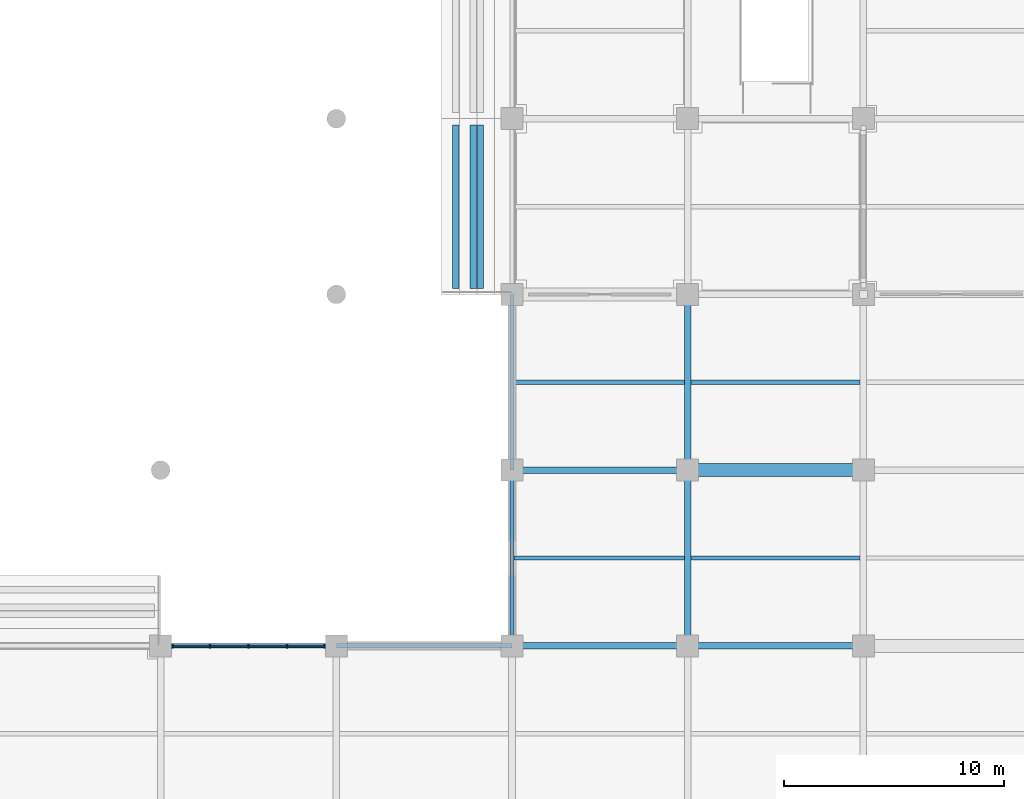
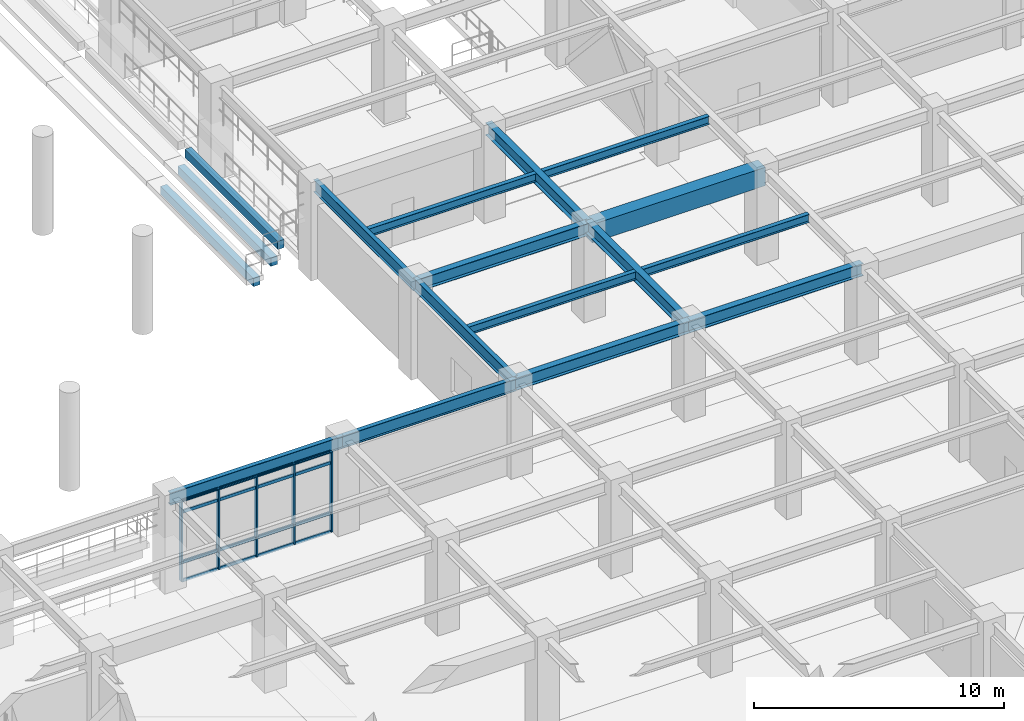
# One storey, part 28 of 117: 21 members, 17 beams, 1 element without a shape of its own.
"""IFC4 building model written with IfcOpenShell, lengths in metres."""

from ifc_helpers import new_model, si_unit, direction, frame, origin, origin_2d, place, context, subcontext, project, spatial, rectangle, i_section, extrude, material, layer, layer_set, material_profile, profile_set, type_object, element, aggregate, save


model = new_model("IFC4")

# Units and contexts
model_context = context("Model", 3, precision=1e-05, world=origin(), true_north=direction((0.0, 1.0)))
body_context = subcontext(model_context, "Body", "Model", "MODEL_VIEW")
ifc_project = project(units=[si_unit("LENGTHUNIT", "METRE"), si_unit("AREAUNIT", "SQUARE_METRE"), si_unit("VOLUMEUNIT", "CUBIC_METRE"), si_unit("PLANEANGLEUNIT", "RADIAN"), si_unit("MASSUNIT", "GRAM", prefix="KILO")], contexts=[model_context])

# Site, building, storey
site_placement = place(None, origin())
site = spatial("IfcSite", under=ifc_project, at=site_placement, CompositionType="ELEMENT")
building_placement = place(site_placement, origin())
building = spatial("IfcBuilding", under=site, at=building_placement, Name="Haebicheon Civic Stadium", CompositionType="ELEMENT")
storey_placement = place(building_placement, frame((0.0, 0.0, 4.800048828125)))
storey = spatial("IfcBuildingStorey", under=building, at=storey_placement, Name="L02", CompositionType="ELEMENT", Elevation=4.800048828125)

# Beams
ifc_material_1 = material(Name="Precast concrete C40/50", Category="concrete")
ifc_material_profile_1 = material_profile(ifc_material_1, rectangle(XDim=0.300048828125, YDim=0.39990234375, at=origin_2d()), Name="PC-LN-300x400")
ifc_profile_set_1 = profile_set([ifc_material_profile_1], Name="Precast concrete C40/50")
beam_type_1 = type_object("IfcBeamType", Name="BM-LN-300x400", PredefinedType="LINTEL", material=ifc_profile_set_1)
for number, where, z_axis, x_axis, name in (
    (1, (141.43994140625, 48.280029296875, 0.22705078125), (0.0, 1.0, 0.0), (-1.0, 0.0, 0.0), "TIER-E-L precast step carrier beam 1.7"),
    (2, (142.239990234375, 48.280029296875, 0.93798828125), (0.0, 1.0, 0.0), (-1.0, 0.0, 0.0), "TIER-E-L precast step carrier beam 1.8"),
    (3, (142.56005859375, 48.280029296875, 1.64892578125), (0.0, 1.0, 0.0), (-1.0, 0.0, 0.0), "TIER-E-L precast step carrier beam 1.9"),
):
    element("IfcBeam", number, at=place(storey_placement, frame(where, z_axis=z_axis, x_axis=x_axis)), inside=storey, type_object=beam_type_1, material=ifc_profile_set_1, Name=name, PredefinedType="LINTEL", context=body_context, shape_type="SweptSolid", body=[
        extrude(rectangle(XDim=0.300048828125, YDim=0.39990234375, at=origin_2d()), origin(), (0.0, 0.0, 1.0), 7.43994140625),
    ])
ifc_material_2 = material(Name="Concrete C40/50", Category="concrete")
ifc_material_profile_2 = material_profile(ifc_material_2, rectangle(XDim=0.60009765625, YDim=0.89990234375, at=origin_2d()), Name="RC-BM-600x900")
ifc_profile_set_2 = profile_set([ifc_material_profile_2], Name="Concrete C40/50")
beam_type_2 = type_object("IfcBeamType", Name="BM-RC-600x900", PredefinedType="BEAM", material=ifc_profile_set_2)
beam_placement = place(storey_placement, frame((152.0, 40.0, 4.070068359375), z_axis=(1.0, 0.0, 0.0), x_axis=(0.0, 1.0, 0.0)))
element("IfcBeam", 4, at=beam_placement, inside=storey, type_object=beam_type_2, material=ifc_profile_set_2, Name="L02 beam F/20-21", PredefinedType="BEAM", context=body_context, shape_type="SweptSolid", body=[
    extrude(rectangle(XDim=0.60009765625, YDim=0.89990234375, at=origin_2d()), origin(), (0.0, 0.0, 1.0), 8.0),
])
ifc_material_3 = material(Name="Steel SM355 (S355)", Category="steel")
ifc_material_profile_3 = material_profile(ifc_material_3, i_section(OverallWidth=0.300048828125, OverallDepth=0.60009765625, WebThickness=0.011962890625, FlangeThickness=0.02001953125, at=origin_2d()), Name="H-600x300x12x20")
ifc_profile_set_3 = profile_set([ifc_material_profile_3], Name="Steel SM355 (S355)")
beam_type_3 = type_object("IfcBeamType", Name="BM-ST-H600A", PredefinedType="BEAM", material=ifc_profile_set_3)
for number, where, z_axis, x_axis, name in (
    (5, (152.0, 32.0, 4.280029296875), (0.0, 1.0, 0.0), (-1.0, 0.0, 0.0), "L02 girder 20/E-F"),
    (6, (152.0, 40.0, 4.219970703125), (0.0, 1.0, 0.0), (-1.0, 0.0, 0.0), "L02 girder 20/F-G"),
    (7, (144.0, 32.0, 4.280029296875), (1.0, 0.0, 0.0), (0.0, 1.0, 0.0), "L02 beam E/19-20"),
    (8, (144.0, 40.0, 4.219970703125), (1.0, 0.0, 0.0), (0.0, 1.0, 0.0), "L02 beam F/19-20"),
    (9, (152.0, 32.0, 4.280029296875), (1.0, 0.0, 0.0), (0.0, 1.0, 0.0), "L02 beam E/20-21"),
):
    element("IfcBeam", number, at=place(storey_placement, frame(where, z_axis=z_axis, x_axis=x_axis)), inside=storey, type_object=beam_type_3, material=ifc_profile_set_3, Name=name, PredefinedType="BEAM", context=body_context, shape_type="SweptSolid", body=[
        extrude(i_section(OverallWidth=0.300048828125, OverallDepth=0.60009765625, WebThickness=0.011962890625, FlangeThickness=0.02001953125, at=origin_2d()), origin(), (0.0, 0.0, 1.0), 8.0),
    ])

# Curtain wall, members
ifc_material_4 = material(Name="Anodised aluminium and laminated glass", Category="aluminium")
ifc_layer = layer(ifc_material_4, 0.179931640625, Name="Anodised aluminium and laminated glass")
ifc_layer_set = layer_set([ifc_layer], Name="Anodised aluminium and laminated glass")
curtain_wall_type = type_object("IfcCurtainWallType", Name="CW-7000x3910", PredefinedType="NOTDEFINED", material=ifc_layer_set)
curtain_wall_placement = place(storey_placement, origin())
curtain_wall = element("IfcCurtainWall", 10, at=curtain_wall_placement, inside=storey, type_object=curtain_wall_type, material=ifc_layer_set, Name="L02 unitised curtain wall 050", PredefinedType="NOTDEFINED")
ifc_material_5 = material(Name="Anodised aluminium 6063-T6", Category="aluminium")
ifc_material_profile_4 = material_profile(ifc_material_5, rectangle(XDim=0.070068359375, YDim=0.199951171875, at=origin_2d()), Name="ALU-MULL-70x200")
ifc_profile_set_4 = profile_set([ifc_material_profile_4], Name="Anodised aluminium 6063-T6")
member_type_1 = type_object("IfcMemberType", Name="CWM-200x70", PredefinedType="MULLION", material=ifc_profile_set_4)
member_1_placement = place(storey_placement, frame((128.534912109375, 32.0, 0.0), z_axis=(0.0, 0.0, 1.0), x_axis=(1.0, 0.0, 0.0)))
member_1 = element("IfcMember", 11, at=member_1_placement, type_object=member_type_1, material=ifc_profile_set_4, Name="CW-L02-050 vertical mullion 1", PredefinedType="MULLION", context=body_context, shape_type="SweptSolid", body=[
    extrude(rectangle(XDim=0.070068359375, YDim=0.199951171875, at=origin_2d()), origin(), (0.0, 0.0, 1.0), 3.909912109375),
])
member_2_placement = place(storey_placement, frame((130.25, 32.0, 0.0), z_axis=(0.0, 0.0, 1.0), x_axis=(1.0, 0.0, 0.0)))
member_2 = element("IfcMember", 12, at=member_2_placement, type_object=member_type_1, material=ifc_profile_set_4, Name="CW-L02-050 vertical mullion 2", PredefinedType="MULLION", context=body_context, shape_type="SweptSolid", body=[
    extrude(rectangle(XDim=0.070068359375, YDim=0.199951171875, at=origin_2d()), origin(), (0.0, 0.0, 1.0), 3.909912109375),
])
member_3_placement = place(storey_placement, frame((132.0, 32.0, 0.0), z_axis=(0.0, 0.0, 1.0), x_axis=(1.0, 0.0, 0.0)))
member_3 = element("IfcMember", 13, at=member_3_placement, type_object=member_type_1, material=ifc_profile_set_4, Name="CW-L02-050 vertical mullion 3", PredefinedType="MULLION", context=body_context, shape_type="SweptSolid", body=[
    extrude(rectangle(XDim=0.070068359375, YDim=0.199951171875, at=origin_2d()), origin(), (0.0, 0.0, 1.0), 3.909912109375),
])
member_4_placement = place(storey_placement, frame((133.75, 32.0, 0.0), z_axis=(0.0, 0.0, 1.0), x_axis=(1.0, 0.0, 0.0)))
member_4 = element("IfcMember", 14, at=member_4_placement, type_object=member_type_1, material=ifc_profile_set_4, Name="CW-L02-050 vertical mullion 4", PredefinedType="MULLION", context=body_context, shape_type="SweptSolid", body=[
    extrude(rectangle(XDim=0.070068359375, YDim=0.199951171875, at=origin_2d()), origin(), (0.0, 0.0, 1.0), 3.909912109375),
])
member_5_placement = place(storey_placement, frame((135.465087890625, 32.0, 0.0), z_axis=(0.0, 0.0, 1.0), x_axis=(1.0, 0.0, 0.0)))
member_5 = element("IfcMember", 15, at=member_5_placement, type_object=member_type_1, material=ifc_profile_set_4, Name="CW-L02-050 vertical mullion 5", PredefinedType="MULLION", context=body_context, shape_type="SweptSolid", body=[
    extrude(rectangle(XDim=0.070068359375, YDim=0.199951171875, at=origin_2d()), origin(), (0.0, 0.0, 1.0), 3.909912109375),
])
ifc_material_6 = material(Name="Anodised aluminium 6063-T6", Category="aluminium")
ifc_material_profile_5 = material_profile(ifc_material_6, rectangle(XDim=0.070068359375, YDim=0.14990234375, at=origin_2d()), Name="ALU-TRAN-70x150")
ifc_profile_set_5 = profile_set([ifc_material_profile_5], Name="Anodised aluminium 6063-T6")
member_type_2 = type_object("IfcMemberType", Name="CWT-150x70", PredefinedType="NOTDEFINED", material=ifc_profile_set_5)
member_6_placement = place(storey_placement, frame((128.570068359375, 32.0, 0.0), z_axis=(1.0, 0.0, 0.0), x_axis=(0.0, 1.0, 0.0)))
member_6 = element("IfcMember", 16, at=member_6_placement, type_object=member_type_2, material=ifc_profile_set_5, Name="CW-L02-050 horizontal transom 1.1", ObjectType="TRANSOM", PredefinedType="USERDEFINED", context=body_context, shape_type="SweptSolid", body=[
    extrude(rectangle(XDim=0.070068359375, YDim=0.14990234375, at=origin_2d()), origin(), (0.0, 0.0, 1.0), 1.64501953125),
])
member_7_placement = place(storey_placement, frame((128.570068359375, 32.0, 0.89990234375), z_axis=(1.0, 0.0, 0.0), x_axis=(0.0, 1.0, 0.0)))
member_7 = element("IfcMember", 17, at=member_7_placement, type_object=member_type_2, material=ifc_profile_set_5, Name="CW-L02-050 horizontal transom 1.2", ObjectType="TRANSOM", PredefinedType="USERDEFINED", context=body_context, shape_type="SweptSolid", body=[
    extrude(rectangle(XDim=0.070068359375, YDim=0.14990234375, at=origin_2d()), origin(), (0.0, 0.0, 1.0), 1.64501953125),
])
member_8_placement = place(storey_placement, frame((128.570068359375, 32.0, 3.35986328125), z_axis=(1.0, 0.0, 0.0), x_axis=(0.0, 1.0, 0.0)))
member_8 = element("IfcMember", 18, at=member_8_placement, type_object=member_type_2, material=ifc_profile_set_5, Name="CW-L02-050 horizontal transom 1.3", ObjectType="TRANSOM", PredefinedType="USERDEFINED", context=body_context, shape_type="SweptSolid", body=[
    extrude(rectangle(XDim=0.070068359375, YDim=0.14990234375, at=origin_2d()), origin(), (0.0, 0.0, 1.0), 1.64501953125),
])
member_9_placement = place(storey_placement, frame((128.570068359375, 32.0, 3.909912109375), z_axis=(1.0, 0.0, 0.0), x_axis=(0.0, 1.0, 0.0)))
member_9 = element("IfcMember", 19, at=member_9_placement, type_object=member_type_2, material=ifc_profile_set_5, Name="CW-L02-050 horizontal transom 1.4", ObjectType="TRANSOM", PredefinedType="USERDEFINED", context=body_context, shape_type="SweptSolid", body=[
    extrude(rectangle(XDim=0.070068359375, YDim=0.14990234375, at=origin_2d()), origin(), (0.0, 0.0, 1.0), 1.64501953125),
])
member_10_placement = place(storey_placement, frame((130.284912109375, 32.0, 0.0), z_axis=(1.0, 0.0, 0.0), x_axis=(0.0, 1.0, 0.0)))
member_10 = element("IfcMember", 20, at=member_10_placement, type_object=member_type_2, material=ifc_profile_set_5, Name="CW-L02-050 horizontal transom 2.1", ObjectType="TRANSOM", PredefinedType="USERDEFINED", context=body_context, shape_type="SweptSolid", body=[
    extrude(rectangle(XDim=0.070068359375, YDim=0.14990234375, at=origin_2d()), origin(), (0.0, 0.0, 1.0), 1.68017578125),
])
member_11_placement = place(storey_placement, frame((130.284912109375, 32.0, 0.89990234375), z_axis=(1.0, 0.0, 0.0), x_axis=(0.0, 1.0, 0.0)))
member_11 = element("IfcMember", 21, at=member_11_placement, type_object=member_type_2, material=ifc_profile_set_5, Name="CW-L02-050 horizontal transom 2.2", ObjectType="TRANSOM", PredefinedType="USERDEFINED", context=body_context, shape_type="SweptSolid", body=[
    extrude(rectangle(XDim=0.070068359375, YDim=0.14990234375, at=origin_2d()), origin(), (0.0, 0.0, 1.0), 1.68017578125),
])
member_12_placement = place(storey_placement, frame((130.284912109375, 32.0, 3.35986328125), z_axis=(1.0, 0.0, 0.0), x_axis=(0.0, 1.0, 0.0)))
member_12 = element("IfcMember", 22, at=member_12_placement, type_object=member_type_2, material=ifc_profile_set_5, Name="CW-L02-050 horizontal transom 2.3", ObjectType="TRANSOM", PredefinedType="USERDEFINED", context=body_context, shape_type="SweptSolid", body=[
    extrude(rectangle(XDim=0.070068359375, YDim=0.14990234375, at=origin_2d()), origin(), (0.0, 0.0, 1.0), 1.68017578125),
])
member_13_placement = place(storey_placement, frame((130.284912109375, 32.0, 3.909912109375), z_axis=(1.0, 0.0, 0.0), x_axis=(0.0, 1.0, 0.0)))
member_13 = element("IfcMember", 23, at=member_13_placement, type_object=member_type_2, material=ifc_profile_set_5, Name="CW-L02-050 horizontal transom 2.4", ObjectType="TRANSOM", PredefinedType="USERDEFINED", context=body_context, shape_type="SweptSolid", body=[
    extrude(rectangle(XDim=0.070068359375, YDim=0.14990234375, at=origin_2d()), origin(), (0.0, 0.0, 1.0), 1.68017578125),
])
member_14_placement = place(storey_placement, frame((132.034912109375, 32.0, 0.0), z_axis=(1.0, 0.0, 0.0), x_axis=(0.0, 1.0, 0.0)))
member_14 = element("IfcMember", 24, at=member_14_placement, type_object=member_type_2, material=ifc_profile_set_5, Name="CW-L02-050 horizontal transom 3.1", ObjectType="TRANSOM", PredefinedType="USERDEFINED", context=body_context, shape_type="SweptSolid", body=[
    extrude(rectangle(XDim=0.070068359375, YDim=0.14990234375, at=origin_2d()), origin(), (0.0, 0.0, 1.0), 1.68017578125),
])
member_15_placement = place(storey_placement, frame((132.034912109375, 32.0, 0.89990234375), z_axis=(1.0, 0.0, 0.0), x_axis=(0.0, 1.0, 0.0)))
member_15 = element("IfcMember", 25, at=member_15_placement, type_object=member_type_2, material=ifc_profile_set_5, Name="CW-L02-050 horizontal transom 3.2", ObjectType="TRANSOM", PredefinedType="USERDEFINED", context=body_context, shape_type="SweptSolid", body=[
    extrude(rectangle(XDim=0.070068359375, YDim=0.14990234375, at=origin_2d()), origin(), (0.0, 0.0, 1.0), 1.68017578125),
])
member_16_placement = place(storey_placement, frame((132.034912109375, 32.0, 3.35986328125), z_axis=(1.0, 0.0, 0.0), x_axis=(0.0, 1.0, 0.0)))
member_16 = element("IfcMember", 26, at=member_16_placement, type_object=member_type_2, material=ifc_profile_set_5, Name="CW-L02-050 horizontal transom 3.3", ObjectType="TRANSOM", PredefinedType="USERDEFINED", context=body_context, shape_type="SweptSolid", body=[
    extrude(rectangle(XDim=0.070068359375, YDim=0.14990234375, at=origin_2d()), origin(), (0.0, 0.0, 1.0), 1.68017578125),
])
member_17_placement = place(storey_placement, frame((132.034912109375, 32.0, 3.909912109375), z_axis=(1.0, 0.0, 0.0), x_axis=(0.0, 1.0, 0.0)))
member_17 = element("IfcMember", 27, at=member_17_placement, type_object=member_type_2, material=ifc_profile_set_5, Name="CW-L02-050 horizontal transom 3.4", ObjectType="TRANSOM", PredefinedType="USERDEFINED", context=body_context, shape_type="SweptSolid", body=[
    extrude(rectangle(XDim=0.070068359375, YDim=0.14990234375, at=origin_2d()), origin(), (0.0, 0.0, 1.0), 1.68017578125),
])
member_18_placement = place(storey_placement, frame((133.784912109375, 32.0, 0.0), z_axis=(1.0, 0.0, 0.0), x_axis=(0.0, 1.0, 0.0)))
member_18 = element("IfcMember", 28, at=member_18_placement, type_object=member_type_2, material=ifc_profile_set_5, Name="CW-L02-050 horizontal transom 4.1", ObjectType="TRANSOM", PredefinedType="USERDEFINED", context=body_context, shape_type="SweptSolid", body=[
    extrude(rectangle(XDim=0.070068359375, YDim=0.14990234375, at=origin_2d()), origin(), (0.0, 0.0, 1.0), 1.64501953125),
])
member_19_placement = place(storey_placement, frame((133.784912109375, 32.0, 0.89990234375), z_axis=(1.0, 0.0, 0.0), x_axis=(0.0, 1.0, 0.0)))
member_19 = element("IfcMember", 29, at=member_19_placement, type_object=member_type_2, material=ifc_profile_set_5, Name="CW-L02-050 horizontal transom 4.2", ObjectType="TRANSOM", PredefinedType="USERDEFINED", context=body_context, shape_type="SweptSolid", body=[
    extrude(rectangle(XDim=0.070068359375, YDim=0.14990234375, at=origin_2d()), origin(), (0.0, 0.0, 1.0), 1.64501953125),
])
member_20_placement = place(storey_placement, frame((133.784912109375, 32.0, 3.35986328125), z_axis=(1.0, 0.0, 0.0), x_axis=(0.0, 1.0, 0.0)))
member_20 = element("IfcMember", 30, at=member_20_placement, type_object=member_type_2, material=ifc_profile_set_5, Name="CW-L02-050 horizontal transom 4.3", ObjectType="TRANSOM", PredefinedType="USERDEFINED", context=body_context, shape_type="SweptSolid", body=[
    extrude(rectangle(XDim=0.070068359375, YDim=0.14990234375, at=origin_2d()), origin(), (0.0, 0.0, 1.0), 1.64501953125),
])
member_21_placement = place(storey_placement, frame((133.784912109375, 32.0, 3.909912109375), z_axis=(1.0, 0.0, 0.0), x_axis=(0.0, 1.0, 0.0)))
member_21 = element("IfcMember", 31, at=member_21_placement, type_object=member_type_2, material=ifc_profile_set_5, Name="CW-L02-050 horizontal transom 4.4", ObjectType="TRANSOM", PredefinedType="USERDEFINED", context=body_context, shape_type="SweptSolid", body=[
    extrude(rectangle(XDim=0.070068359375, YDim=0.14990234375, at=origin_2d()), origin(), (0.0, 0.0, 1.0), 1.64501953125),
])
aggregate(curtain_wall, [member_1, member_2, member_3, member_4, member_5, member_6, member_7, member_8, member_9, member_10, member_11, member_12, member_13, member_14, member_15, member_16, member_17, member_18, member_19, member_20, member_21])

# Beams
ifc_material_7 = material(Name="Steel SM355 (S355)", Category="steel")
ifc_material_profile_6 = material_profile(ifc_material_7, i_section(OverallWidth=0.199951171875, OverallDepth=0.39990234375, WebThickness=0.008056640625, FlangeThickness=0.012939453125, at=origin_2d()), Name="H-400x200x8x13")
ifc_profile_set_6 = profile_set([ifc_material_profile_6], Name="Steel SM355 (S355)")
beam_type_4 = type_object("IfcBeamType", Name="JST-ST-H400", PredefinedType="JOIST", material=ifc_profile_set_6)
for number, where, z_axis, x_axis, name in (
    (32, (144.10009765625, 36.0, 4.3798828125), (1.0, 0.0, 0.0), (0.0, 1.0, 0.0), "L02 secondary joist 18-04"),
    (33, (144.10009765625, 44.0, 4.320068359375), (1.0, 0.0, 0.0), (0.0, 1.0, 0.0), "L02 secondary joist 18-05"),
):
    element("IfcBeam", number, at=place(storey_placement, frame(where, z_axis=z_axis, x_axis=x_axis)), inside=storey, type_object=beam_type_4, material=ifc_profile_set_6, Name=name, PredefinedType="JOIST", context=body_context, shape_type="SweptSolid", body=[
        extrude(i_section(OverallWidth=0.199951171875, OverallDepth=0.39990234375, WebThickness=0.008056640625, FlangeThickness=0.012939453125, at=origin_2d()), origin(), (0.0, 0.0, 1.0), 7.75),
    ])
for number, where, z_axis, x_axis, name in (
    (34, (152.14990234375, 36.0, 4.3798828125), (1.0, 0.0, 0.0), (0.0, 1.0, 0.0), "L02 secondary joist 19-04"),
    (35, (152.14990234375, 44.0, 4.320068359375), (1.0, 0.0, 0.0), (0.0, 1.0, 0.0), "L02 secondary joist 19-05"),
):
    element("IfcBeam", number, at=place(storey_placement, frame(where, z_axis=z_axis, x_axis=x_axis)), inside=storey, type_object=beam_type_4, material=ifc_profile_set_6, Name=name, PredefinedType="JOIST", context=body_context, shape_type="SweptSolid", body=[
        extrude(i_section(OverallWidth=0.199951171875, OverallDepth=0.39990234375, WebThickness=0.008056640625, FlangeThickness=0.012939453125, at=origin_2d()), origin(), (0.0, 0.0, 1.0), 7.7001953125),
    ])
ifc_material_8 = material(Name="Steel SM355 (S355)", Category="steel")
ifc_material_profile_7 = material_profile(ifc_material_8, i_section(OverallWidth=0.199951171875, OverallDepth=0.60009765625, WebThickness=0.010986328125, FlangeThickness=0.01708984375, at=origin_2d()), Name="H-600x200x11x17")
ifc_profile_set_7 = profile_set([ifc_material_profile_7], Name="Steel SM355 (S355)")
beam_type_5 = type_object("IfcBeamType", Name="SPD-ST-H600B", PredefinedType="SPANDREL", material=ifc_profile_set_7)
for number, where, z_axis, x_axis, name in (
    (36, (144.0, 32.0, 4.280029296875), (0.0, 1.0, 0.0), (-1.0, 0.0, 0.0), "L02 girder 19/E-F"),
    (37, (144.0, 40.0, 4.219970703125), (0.0, 1.0, 0.0), (-1.0, 0.0, 0.0), "L02 girder 19/F-G"),
    (38, (128.0, 32.0, 4.219970703125), (1.0, 0.0, 0.0), (0.0, 1.0, 0.0), "L02 beam E/17-18"),
    (39, (136.0, 32.0, 4.219970703125), (1.0, 0.0, 0.0), (0.0, 1.0, 0.0), "L02 beam E/18-19"),
):
    element("IfcBeam", number, at=place(storey_placement, frame(where, z_axis=z_axis, x_axis=x_axis)), inside=storey, type_object=beam_type_5, material=ifc_profile_set_7, Name=name, PredefinedType="SPANDREL", context=body_context, shape_type="SweptSolid", body=[
        extrude(i_section(OverallWidth=0.199951171875, OverallDepth=0.60009765625, WebThickness=0.010986328125, FlangeThickness=0.01708984375, at=origin_2d()), origin(), (0.0, 0.0, 1.0), 8.0),
    ])

save(model, "model.ifc")
